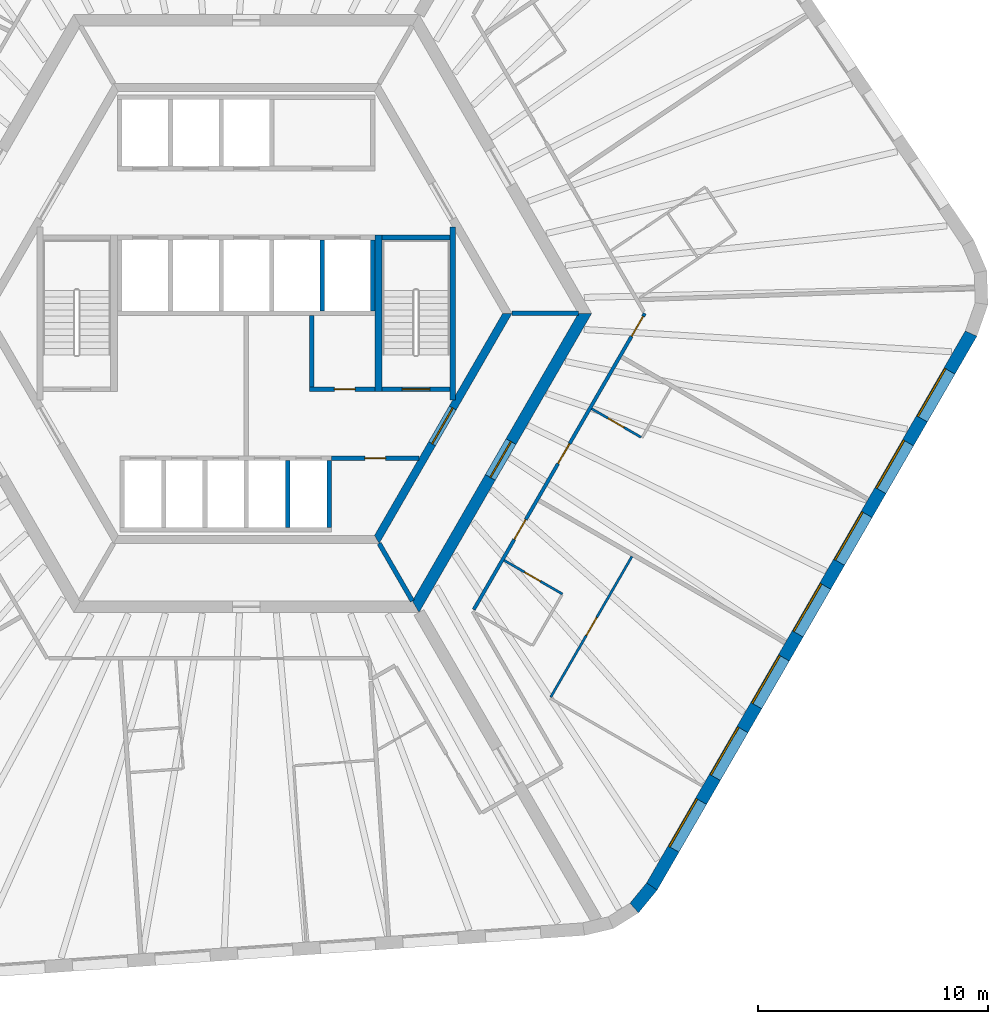
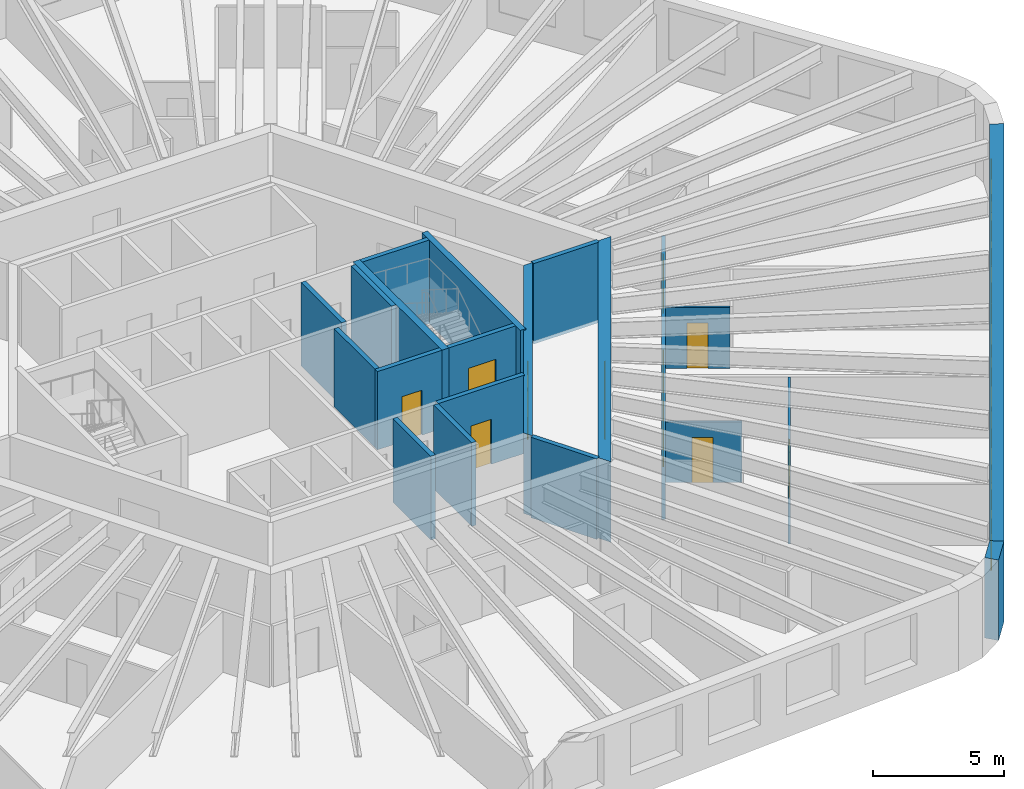
# One storey, part 5 of 10: 21 walls, 11 doors, 7 windows, 18 openings.
"""IFC4 building model written with IfcOpenShell, lengths in metres."""

from ifc_helpers import new_model, si_unit, direction, frame, frame_2d, origin, place, context, subcontext, project, spatial, polyline, rectangle, outline, extrude, material, layer, layer_set, type_object, element, fill, save


model = new_model("IFC4")

# Units and contexts
model_context = context("Model", 3, precision=1e-05, world=origin(), true_north=direction((0.0, 1.0)))
body_context = subcontext(model_context, "Body", "Model", "MODEL_VIEW")
ifc_project = project(units=[si_unit("LENGTHUNIT", "METRE"), si_unit("AREAUNIT", "SQUARE_METRE"), si_unit("VOLUMEUNIT", "CUBIC_METRE"), si_unit("PLANEANGLEUNIT", "RADIAN"), si_unit("MASSUNIT", "GRAM", prefix="KILO")], contexts=[model_context])

# Site, building, storey
site_placement = place(None, origin())
site = spatial("IfcSite", under=ifc_project, at=site_placement, CompositionType="ELEMENT")
building_placement = place(site_placement, origin())
building = spatial("IfcBuilding", under=site, at=building_placement, Name="Tarnside Tower", CompositionType="ELEMENT")
storey_placement = place(building_placement, frame((0.0, 0.0, 246.300048828125)))
storey = spatial("IfcBuildingStorey", under=building, at=storey_placement, Name="L59", CompositionType="ELEMENT", Elevation=246.300048828125)

# Wall, opening, door
ifc_material_1 = material(Name="Gypsum board partition on steel studs", Category="steel")
ifc_layer_1 = layer(ifc_material_1, 0.10009765625)
ifc_layer_set_1 = layer_set([ifc_layer_1], Name="Bathroom wall 100")
wall_type_1 = type_object("IfcWallType", Name="Bathroom wall 100", PredefinedType="PARTITIONING", material=ifc_layer_set_1)
wall_1_placement = place(storey_placement, frame((11.208740234375, -10.73583984375, 0.0), z_axis=(0.0, 0.0, 1.0), x_axis=(0.866046596414, -0.499963291492, 0.0)))
wall_1 = element("IfcWall", 1, at=wall_1_placement, inside=storey, type_object=wall_type_1, Name="Bathroom wall 19098", PredefinedType="PARTITIONING", context=body_context, shape_type="SweptSolid", body=[
    extrude(rectangle(XDim=2.925048828125, YDim=0.10009765625, at=frame_2d((1.46240234375, 0.0))), origin(), (0.0, 0.0, 1.0), 2.837646484375),
])
opening_1_placement = place(wall_1_placement, frame((1.02490234375, 0.0, 0.0)))
opening_1 = element("IfcOpeningElement", 2, at=opening_1_placement, cuts=wall_1, Name="Opening D-B1", PredefinedType="OPENING", context=body_context, shape_type="SweptSolid", body=[
    extrude(rectangle(XDim=0.800048828125, YDim=2.10009765625, at=frame_2d((0.39990234375, 1.050048828125))), frame((0.0, 0.06005859375, 0.0), z_axis=(0.0, -1.0, 0.0), x_axis=(1.0, 0.0, 0.0)), (0.0, 0.0, 1.0), 0.1201171875),
])
ifc_material_2 = material(Name="Timber door leaf", Category="wood")
door_type_1 = type_object("IfcDoorType", Name="Bathroom door 800", OperationType="NOTDEFINED", PredefinedType="DOOR", material=ifc_material_2)
door_1_placement = place(opening_1_placement, origin())
door_1 = element("IfcDoor", 3, at=door_1_placement, inside=storey, type_object=door_type_1, Name="Bathroom door 19027", OperationType="SINGLE_SWING_RIGHT", OverallHeight=2.10009765625, OverallWidth=0.800048828125, PredefinedType="DOOR", context=body_context, shape_type="SweptSolid", body=[
    extrude(rectangle(XDim=0.800048828125, YDim=2.10009765625, at=frame_2d((0.39990234375, 1.050048828125))), frame((0.0, 0.02490234375, 0.0), z_axis=(0.0, -1.0, 0.0), x_axis=(1.0, 0.0, 0.0)), (0.0, 0.0, 1.0), 0.050048828125),
])
fill(opening_1, door_1)

wall_2_placement = place(storey_placement, frame((17.15771484375, -5.382080078125, 0.0), z_axis=(0.0, 0.0, 1.0), x_axis=(-0.866031185235, 0.4999899861, 0.0)))
wall_2 = element("IfcWall", 4, at=wall_2_placement, inside=storey, type_object=wall_type_1, Name="Bathroom wall 19106", PredefinedType="PARTITIONING", context=body_context, shape_type="SweptSolid", body=[
    extrude(rectangle(XDim=2.47509765625, YDim=0.10009765625, at=frame_2d((1.237548828125, 0.0))), origin(), (0.0, 0.0, 1.0), 2.837646484375),
])
opening_2_placement = place(wall_2_placement, frame((0.85009765625, 0.0, 0.0)))
opening_2 = element("IfcOpeningElement", 5, at=opening_2_placement, cuts=wall_2, Name="Opening D-B1", PredefinedType="OPENING", context=body_context, shape_type="SweptSolid", body=[
    extrude(rectangle(XDim=0.800048828125, YDim=2.10009765625, at=frame_2d((0.39990234375, 1.050048828125))), frame((0.0, 0.06005859375, 0.0), z_axis=(0.0, -1.0, 0.0), x_axis=(1.0, 0.0, 0.0)), (0.0, 0.0, 1.0), 0.1201171875),
])
door_2_placement = place(opening_2_placement, origin())
door_2 = element("IfcDoor", 6, at=door_2_placement, inside=storey, type_object=door_type_1, Name="Bathroom door 19030", OperationType="SINGLE_SWING_LEFT", OverallHeight=2.10009765625, OverallWidth=0.800048828125, PredefinedType="DOOR", context=body_context, shape_type="SweptSolid", body=[
    extrude(rectangle(XDim=0.800048828125, YDim=2.10009765625, at=frame_2d((0.39990234375, 1.050048828125))), frame((0.0, 0.02490234375, 0.0), z_axis=(0.0, -1.0, 0.0), x_axis=(1.0, 0.0, 0.0)), (0.0, 0.0, 1.0), 0.050048828125),
])
fill(opening_2, door_2)

ifc_material_3 = material(Name="Concrete C50/60", Category="concrete")
ifc_layer_2 = layer(ifc_material_3, 0.35009765625)
ifc_layer_set_2 = layer_set([ifc_layer_2], Name="Core block wall 350 C50/60")
wall_type_2 = type_object("IfcWallType", Name="Core block wall 350 C50/60", PredefinedType="SHEAR", material=ifc_layer_set_2)
wall_3_placement = place(storey_placement, frame((5.672607421875, -9.824951171875, -0.150146484375), z_axis=(0.0, 0.0, 1.0), x_axis=(0.499995046907, 0.866028263435, 0.0)))
wall_3 = element("IfcWall", 7, at=wall_3_placement, inside=storey, type_object=wall_type_2, Name="L59 core block wall face 5", PredefinedType="SHEAR", context=body_context, shape_type="SweptSolid", body=[
    extrude(outline(polyline([(-0.10107421875, -0.175048828125), (11.44580078125, -0.175048828125), (11.24365234375, 0.175048828125), (0.10107421875, 0.175048828125), (-0.10107421875, -0.175048828125)])), origin(), (0.0, 0.0, 1.0), 3.75),
])
opening_3_placement = place(wall_3_placement, frame((4.80126953125, 0.0, 0.14990234375)))
opening_3 = element("IfcOpeningElement", 8, at=opening_3_placement, cuts=wall_3, Name="Opening CD-FFL", PredefinedType="OPENING", context=body_context, shape_type="SweptSolid", body=[
    extrude(rectangle(XDim=1.800048828125, YDim=2.39990234375, at=frame_2d((0.89990234375, 1.199951171875))), frame((0.0, 0.18505859375, 0.0), z_axis=(0.0, -1.0, 0.0), x_axis=(1.0, 0.0, 0.0)), (0.0, 0.0, 1.0), 0.3701171875),
])
ifc_material_4 = material(Name="Steel fire door", Category="steel")
door_type_2 = type_object("IfcDoorType", Name="Firefighting lobby double door FD60S 1800x2400", OperationType="NOTDEFINED", PredefinedType="DOOR", material=ifc_material_4)
door_3_placement = place(opening_3_placement, origin())
door_3 = element("IfcDoor", 9, at=door_3_placement, inside=storey, type_object=door_type_2, Name="L59 lobby block door P4", OperationType="DOUBLE_DOOR_SINGLE_SWING", OverallHeight=2.39990234375, OverallWidth=1.800048828125, PredefinedType="DOOR", context=body_context, shape_type="SweptSolid", body=[
    extrude(rectangle(XDim=1.800048828125, YDim=2.39990234375, at=frame_2d((0.89990234375, 1.199951171875))), frame((0.0, 0.02490234375, 0.0), z_axis=(0.0, -1.0, 0.0), x_axis=(1.0, 0.0, 0.0)), (0.0, 0.0, 1.0), 0.050048828125),
])
fill(opening_3, door_3)

ifc_material_5 = material(Name="Concrete C40/50", Category="concrete")
ifc_layer_3 = layer(ifc_material_5, 0.199951171875)
ifc_layer_set_3 = layer_set([ifc_layer_3], Name="Core room partition 200 C40/50")
wall_type_3 = type_object("IfcWallType", Name="Core room partition 200 C40/50", PredefinedType="PARTITIONING", material=ifc_layer_set_3)
wall_4_placement = place(storey_placement, frame((2.75, -3.300048828125, 0.0), z_axis=(0.0, 0.0, 1.0), x_axis=(1.0, 0.0, 0.0)))
wall_4 = element("IfcWall", 10, at=wall_4_placement, inside=storey, type_object=wall_type_3, Name="L59 core partition R3S1", PredefinedType="PARTITIONING", context=body_context, shape_type="SweptSolid", body=[
    extrude(rectangle(XDim=2.85009765625, YDim=0.199951171875, at=frame_2d((1.425048828125, 0.0))), origin(), (0.0, 0.0, 1.0), 3.64990234375),
])
opening_4_placement = place(wall_4_placement, frame((1.074951171875, 0.0, 0.0)))
opening_4 = element("IfcOpeningElement", 11, at=opening_4_placement, cuts=wall_4, Name="Opening CD-room", PredefinedType="OPENING", context=body_context, shape_type="SweptSolid", body=[
    extrude(rectangle(XDim=0.89990234375, YDim=2.10009765625, at=frame_2d((0.449951171875, 1.050048828125))), frame((0.0, 0.10986328125, 0.0), z_axis=(0.0, -1.0, 0.0), x_axis=(1.0, 0.0, 0.0)), (0.0, 0.0, 1.0), 0.219970703125),
])
door_type_3 = type_object("IfcDoorType", Name="Room door FD60 900x2100", OperationType="NOTDEFINED", PredefinedType="DOOR", material=ifc_material_4)
door_4_placement = place(opening_4_placement, origin())
door_4 = element("IfcDoor", 12, at=door_4_placement, inside=storey, type_object=door_type_3, Name="L59 core room door SR1", OperationType="SINGLE_SWING_LEFT", OverallHeight=2.10009765625, OverallWidth=0.89990234375, PredefinedType="DOOR", context=body_context, shape_type="SweptSolid", body=[
    extrude(rectangle(XDim=0.89990234375, YDim=2.10009765625, at=frame_2d((0.449951171875, 1.050048828125))), frame((0.0, 0.02490234375, 0.0), z_axis=(0.0, -1.0, 0.0), x_axis=(1.0, 0.0, 0.0)), (0.0, 0.0, 1.0), 0.050048828125),
])
fill(opening_4, door_4)

# Wall
wall_5_placement = place(storey_placement, frame((2.85009765625, -3.199951171875, 0.0), z_axis=(0.0, 0.0, 1.0), x_axis=(0.0, 1.0, 0.0)))
element("IfcWall", 13, at=wall_5_placement, inside=storey, type_object=wall_type_3, Name="L59 core partition R3P1a", PredefinedType="PARTITIONING", context=body_context, shape_type="SweptSolid", body=[
    extrude(rectangle(XDim=3.099853515625, YDim=0.199951171875, at=frame_2d((1.5498046875, 0.0))), origin(), (0.0, 0.0, 1.0), 3.64990234375),
])

# Wall, opening, door
wall_6_placement = place(storey_placement, frame((3.699951171875, -6.300048828125, 0.0), z_axis=(0.0, 0.0, 1.0), x_axis=(1.0, 0.0, 0.0)))
wall_6 = element("IfcWall", 14, at=wall_6_placement, inside=storey, type_object=wall_type_3, Name="L59 core partition R4X", PredefinedType="PARTITIONING", context=body_context, shape_type="SweptSolid", body=[
    extrude(rectangle(XDim=3.8056640625, YDim=0.199951171875, at=frame_2d((1.90283203125, 0.0))), origin(), (0.0, 0.0, 1.0), 3.64990234375),
])
opening_5_placement = place(wall_6_placement, frame((1.452880859375, 0.0, 0.0)))
opening_5 = element("IfcOpeningElement", 15, at=opening_5_placement, cuts=wall_6, Name="Opening CD-room", PredefinedType="OPENING", context=body_context, shape_type="SweptSolid", body=[
    extrude(rectangle(XDim=0.89990234375, YDim=2.10009765625, at=frame_2d((0.449951171875, 1.050048828125))), frame((0.0, 0.10986328125, 0.0), z_axis=(0.0, -1.0, 0.0), x_axis=(1.0, 0.0, 0.0)), (0.0, 0.0, 1.0), 0.219970703125),
])
door_5_placement = place(opening_5_placement, origin())
door_5 = element("IfcDoor", 16, at=door_5_placement, inside=storey, type_object=door_type_3, Name="L59 core room door RX", OperationType="SINGLE_SWING_LEFT", OverallHeight=2.10009765625, OverallWidth=0.89990234375, PredefinedType="DOOR", context=body_context, shape_type="SweptSolid", body=[
    extrude(rectangle(XDim=0.89990234375, YDim=2.10009765625, at=frame_2d((0.449951171875, 1.050048828125))), frame((0.0, 0.02490234375, 0.0), z_axis=(0.0, -1.0, 0.0), x_axis=(1.0, 0.0, 0.0)), (0.0, 0.0, 1.0), 0.050048828125),
])
fill(opening_5, door_5)

ifc_material_6 = material(Name="Concrete C70/85", Category="concrete")
ifc_layer_4 = layer(ifc_material_6, 0.5)
ifc_layer_set_4 = layer_set([ifc_layer_4], Name="Core wall Z2 500 C70/85")
wall_type_4 = type_object("IfcWallType", Name="Core wall Z2 500 C70/85", PredefinedType="SHEAR", material=ifc_layer_set_4)
wall_7_placement = place(storey_placement, frame((7.361083984375, -12.75, -0.150146484375), z_axis=(0.0, 0.0, 1.0), x_axis=(0.50000571537, 0.866022103989, 0.0)))
wall_7 = element("IfcWall", 17, at=wall_7_placement, inside=storey, type_object=wall_type_4, Name="L59 core wall face 5", PredefinedType="SHEAR", context=body_context, shape_type="SweptSolid", body=[
    extrude(outline(polyline([(-0.144287109375, -0.25), (14.86669921875, -0.25), (14.578125, 0.25), (0.144287109375, 0.25), (-0.144287109375, -0.25)])), origin(), (0.0, 0.0, 1.0), 3.75),
])
opening_6_placement = place(wall_7_placement, frame((6.489990234375, 0.0, 0.14990234375)))
opening_6 = element("IfcOpeningElement", 18, at=opening_6_placement, cuts=wall_7, Name="Opening CD-FFL", PredefinedType="OPENING", context=body_context, shape_type="SweptSolid", body=[
    extrude(rectangle(XDim=1.800048828125, YDim=2.39990234375, at=frame_2d((0.89990234375, 1.199951171875))), frame((0.0, 0.260009765625, 0.0), z_axis=(0.0, -1.0, 0.0), x_axis=(1.0, 0.0, 0.0)), (0.0, 0.0, 1.0), 0.52001953125),
])
door_6_placement = place(opening_6_placement, origin())
door_6 = element("IfcDoor", 19, at=door_6_placement, inside=storey, type_object=door_type_2, Name="L59 core door P4", OperationType="DOUBLE_DOOR_SINGLE_SWING", OverallHeight=2.39990234375, OverallWidth=1.800048828125, PredefinedType="DOOR", context=body_context, shape_type="SweptSolid", body=[
    extrude(rectangle(XDim=1.800048828125, YDim=2.39990234375, at=frame_2d((0.89990234375, 1.199951171875))), frame((0.0, 0.02490234375, 0.0), z_axis=(0.0, -1.0, 0.0), x_axis=(1.0, 0.0, 0.0)), (0.0, 0.0, 1.0), 0.050048828125),
])
fill(opening_6, door_6)

# Wall, openings, doors
ifc_layer_5 = layer(ifc_material_1, 0.14990234375)
ifc_layer_set_5 = layer_set([ifc_layer_5], Name="Corridor wall 150 EI 60")
wall_type_5 = type_object("IfcWallType", Name="Corridor wall 150 EI 60", PredefinedType="PARTITIONING", material=ifc_layer_set_5)
wall_8_placement = place(storey_placement, frame((9.88720703125, -12.875, 0.0), z_axis=(0.0, 0.0, 1.0), x_axis=(0.499998228944, 0.866026426302, 0.0)))
wall_8 = element("IfcWall", 20, at=wall_8_placement, inside=storey, type_object=wall_type_5, Name="Corridor wall 19036", PredefinedType="PARTITIONING", context=body_context, shape_type="SweptSolid", body=[
    extrude(rectangle(XDim=14.86669921875, YDim=0.14990234375, at=frame_2d((7.433349609375, 0.0))), origin(), (0.0, 0.0, 1.0), 2.837646484375),
])
opening_7_placement = place(wall_8_placement, frame((3.518798828125, 0.0, 0.0)))
opening_7 = element("IfcOpeningElement", 21, at=opening_7_placement, cuts=wall_8, Name="Opening D-E1", PredefinedType="OPENING", context=body_context, shape_type="SweptSolid", body=[
    extrude(rectangle(XDim=1.0, YDim=2.10009765625, at=frame_2d((0.5, 1.050048828125))), frame((0.0, 0.0849609375, 0.0), z_axis=(0.0, -1.0, 0.0), x_axis=(1.0, 0.0, 0.0)), (0.0, 0.0, 1.0), 0.169921875),
])
opening_8_placement = place(wall_8_placement, frame((7.324462890625, 0.0, 0.0)))
opening_8 = element("IfcOpeningElement", 22, at=opening_8_placement, cuts=wall_8, Name="Opening D-E1", PredefinedType="OPENING", context=body_context, shape_type="SweptSolid", body=[
    extrude(rectangle(XDim=1.0, YDim=2.10009765625, at=frame_2d((0.5, 1.050048828125))), frame((0.0, 0.0849609375, 0.0), z_axis=(0.0, -1.0, 0.0), x_axis=(1.0, 0.0, 0.0)), (0.0, 0.0, 1.0), 0.169921875),
])
opening_9_placement = place(wall_8_placement, frame((13.716796875, 0.0, 0.0)))
opening_9 = element("IfcOpeningElement", 23, at=opening_9_placement, cuts=wall_8, Name="Opening D-E1", PredefinedType="OPENING", context=body_context, shape_type="SweptSolid", body=[
    extrude(rectangle(XDim=1.0, YDim=2.10009765625, at=frame_2d((0.5, 1.050048828125))), frame((0.0, 0.0849609375, 0.0), z_axis=(0.0, -1.0, 0.0), x_axis=(1.0, 0.0, 0.0)), (0.0, 0.0, 1.0), 0.169921875),
])
door_type_4 = type_object("IfcDoorType", Name="Unit entrance door 1000 FD30S", OperationType="NOTDEFINED", PredefinedType="DOOR", material=ifc_material_2)
door_7_placement = place(opening_7_placement, origin())
door_7 = element("IfcDoor", 24, at=door_7_placement, inside=storey, type_object=door_type_4, Name="Unit door 19026", OperationType="SINGLE_SWING_RIGHT", OverallHeight=2.10009765625, OverallWidth=1.0, PredefinedType="DOOR", context=body_context, shape_type="SweptSolid", body=[
    extrude(rectangle(XDim=1.0, YDim=2.10009765625, at=frame_2d((0.5, 1.050048828125))), frame((0.0, 0.02490234375, 0.0), z_axis=(0.0, -1.0, 0.0), x_axis=(1.0, 0.0, 0.0)), (0.0, 0.0, 1.0), 0.050048828125),
])
fill(opening_7, door_7)
door_8_placement = place(opening_8_placement, origin())
door_8 = element("IfcDoor", 25, at=door_8_placement, inside=storey, type_object=door_type_4, Name="Unit door 19029", OperationType="SINGLE_SWING_LEFT", OverallHeight=2.10009765625, OverallWidth=1.0, PredefinedType="DOOR", context=body_context, shape_type="SweptSolid", body=[
    extrude(rectangle(XDim=1.0, YDim=2.10009765625, at=frame_2d((0.5, 1.050048828125))), frame((0.0, 0.02490234375, 0.0), z_axis=(0.0, -1.0, 0.0), x_axis=(1.0, 0.0, 0.0)), (0.0, 0.0, 1.0), 0.050048828125),
])
fill(opening_8, door_8)
door_9_placement = place(opening_9_placement, origin())
door_9 = element("IfcDoor", 26, at=door_9_placement, inside=storey, type_object=door_type_4, Name="Unit door 19031", OperationType="SINGLE_SWING_LEFT", OverallHeight=2.10009765625, OverallWidth=1.0, PredefinedType="DOOR", context=body_context, shape_type="SweptSolid", body=[
    extrude(rectangle(XDim=1.0, YDim=2.10009765625, at=frame_2d((0.5, 1.050048828125))), frame((0.0, 0.02490234375, 0.0), z_axis=(0.0, -1.0, 0.0), x_axis=(1.0, 0.0, 0.0)), (0.0, 0.0, 1.0), 0.050048828125),
])
fill(opening_9, door_9)

# Walls
ifc_layer_6 = layer(ifc_material_5, 0.199951171875)
ifc_layer_set_6 = layer_set([ifc_layer_6], Name="Lift shaft wall 200 C40/50")
wall_type_6 = type_object("IfcWallType", Name="Lift shaft wall 200 C40/50", PredefinedType="SHEAR", material=ifc_layer_set_6)
for number, where, z_axis, x_axis, name in (
    (27, (3.300048828125, 0.10009765625, -0.25), (0.0, 0.0, 1.0), (0.0, 1.0, 0.0), "L59 lift shaft partition R25"),
    (28, (5.5, 0.10009765625, -0.25), (0.0, 0.0, 1.0), (0.0, 1.0, 0.0), "L59 lift shaft partition R26"),
):
    element("IfcWall", number, at=place(storey_placement, frame(where, z_axis=z_axis, x_axis=x_axis)), inside=storey, type_object=wall_type_6, Name=name, PredefinedType="SHEAR", context=body_context, shape_type="SweptSolid", body=[
        extrude(rectangle(XDim=3.099853515625, YDim=0.199951171875, at=frame_2d((1.5498046875, 0.0))), origin(), (0.0, 0.0, 1.0), 3.89990234375),
    ])
for number, where, z_axis, x_axis, name in (
    (29, (1.800048828125, -9.300048828125, -0.25), (0.0, 0.0, 1.0), (0.0, 1.0, 0.0), "L59 lift shaft partition R45"),
    (30, (3.60009765625, -9.300048828125, -0.25), (0.0, 0.0, 1.0), (0.0, 1.0, 0.0), "L59 lift shaft partition R46"),
):
    element("IfcWall", number, at=place(storey_placement, frame(where, z_axis=z_axis, x_axis=x_axis)), inside=storey, type_object=wall_type_6, Name=name, PredefinedType="SHEAR", context=body_context, shape_type="SweptSolid", body=[
        extrude(rectangle(XDim=2.900146484375, YDim=0.199951171875, at=frame_2d((1.4501953125, 0.0))), origin(), (0.0, 0.0, 1.0), 3.89990234375),
    ])
for number, where, z_axis, x_axis, name in (
    (31, (11.547119140625, 0.0, -0.150146484375), (0.0, 0.0, 1.0), (1.0, 0.0, 0.0), "L59 core partition AR0"),
    (32, (5.7734375, -10.0, -0.150146484375), (0.0, 0.0, 1.0), (0.499995765644, -0.866027848477, 0.0), "L59 core partition AR300"),
):
    element("IfcWall", number, at=place(storey_placement, frame(where, z_axis=z_axis, x_axis=x_axis)), inside=storey, type_object=wall_type_6, Name=name, PredefinedType="SHEAR", context=body_context, shape_type="SweptSolid", body=[
        extrude(rectangle(XDim=2.88671875, YDim=0.199951171875, at=frame_2d((1.443359375, 0.0))), origin(), (0.0, 0.0, 1.0), 3.75),
    ])
wall_9_placement = place(storey_placement, frame((5.89990234375, 3.300048828125, -0.25), z_axis=(0.0, 0.0, 1.0), x_axis=(1.0, 0.0, 0.0)))
element("IfcWall", 33, at=wall_9_placement, inside=storey, type_object=wall_type_6, Name="L59 stair 1 enclosure cap wall n", PredefinedType="SHEAR", context=body_context, shape_type="SweptSolid", body=[
    extrude(rectangle(XDim=2.9501953125, YDim=0.199951171875, at=frame_2d((1.47509765625, 0.0))), origin(), (0.0, 0.0, 1.0), 3.89990234375),
])

# Wall, opening, door
wall_10_placement = place(storey_placement, frame((5.89990234375, -3.300048828125, -0.25), z_axis=(0.0, 0.0, 1.0), x_axis=(1.0, 0.0, 0.0)))
wall_10 = element("IfcWall", 34, at=wall_10_placement, inside=storey, type_object=wall_type_6, Name="L59 stair 1 enclosure cap wall s", PredefinedType="SHEAR", context=body_context, shape_type="SweptSolid", body=[
    extrude(rectangle(XDim=2.9501953125, YDim=0.199951171875, at=frame_2d((1.47509765625, 0.0))), origin(), (0.0, 0.0, 1.0), 3.89990234375),
])
opening_10_placement = place(wall_10_placement, frame((0.875, 0.0, 0.25)))
opening_10 = element("IfcOpeningElement", 35, at=opening_10_placement, cuts=wall_10, Name="Opening CD-STR", PredefinedType="OPENING", context=body_context, shape_type="SweptSolid", body=[
    extrude(rectangle(XDim=1.199951171875, YDim=2.39990234375, at=frame_2d((0.60009765625, 1.199951171875))), frame((0.0, 0.10986328125, 0.0), z_axis=(0.0, -1.0, 0.0), x_axis=(1.0, 0.0, 0.0)), (0.0, 0.0, 1.0), 0.219970703125),
])
door_type_5 = type_object("IfcDoorType", Name="Stair door FD60S 1200x2400", OperationType="NOTDEFINED", PredefinedType="DOOR", material=ifc_material_4)
door_10_placement = place(opening_10_placement, origin())
door_10 = element("IfcDoor", 36, at=door_10_placement, inside=storey, type_object=door_type_5, Name="L59 stair 1 door", OperationType="SINGLE_SWING_LEFT", OverallHeight=2.39990234375, OverallWidth=1.199951171875, PredefinedType="DOOR", context=body_context, shape_type="SweptSolid", body=[
    extrude(rectangle(XDim=1.199951171875, YDim=2.39990234375, at=frame_2d((0.60009765625, 1.199951171875))), frame((0.0, 0.02490234375, 0.0), z_axis=(0.0, -1.0, 0.0), x_axis=(1.0, 0.0, 0.0)), (0.0, 0.0, 1.0), 0.050048828125),
])
fill(opening_10, door_10)

ifc_layer_7 = layer(ifc_material_1, 0.10009765625)
ifc_layer_set_7 = layer_set([ifc_layer_7], Name="Partition 100")
wall_type_7 = type_object("IfcWallType", Name="Partition 100", PredefinedType="PARTITIONING", material=ifc_layer_set_7)
wall_11_placement = place(storey_placement, frame((13.231201171875, -16.682861328125, 0.0), z_axis=(0.0, 0.0, 1.0), x_axis=(0.499995846692, 0.866027801685, 0.0)))
wall_11 = element("IfcWall", 37, at=wall_11_placement, inside=storey, type_object=wall_type_7, Name="Partition wall 19102", PredefinedType="PARTITIONING", context=body_context, shape_type="SweptSolid", body=[
    extrude(rectangle(XDim=7.06005859375, YDim=0.10009765625, at=frame_2d((3.530029296875, 0.0))), origin(), (0.0, 0.0, 1.0), 2.837646484375),
])
opening_11_placement = place(wall_11_placement, frame((3.10009765625, 0.0, 0.0)))
opening_11 = element("IfcOpeningElement", 38, at=opening_11_placement, cuts=wall_11, Name="Opening D-I1", PredefinedType="OPENING", context=body_context, shape_type="SweptSolid", body=[
    extrude(rectangle(XDim=0.89990234375, YDim=2.10009765625, at=frame_2d((0.449951171875, 1.050048828125))), frame((0.0, 0.06005859375, 0.0), z_axis=(0.0, -1.0, 0.0), x_axis=(1.0, 0.0, 0.0)), (0.0, 0.0, 1.0), 0.1201171875),
])
door_type_6 = type_object("IfcDoorType", Name="Internal door 900", OperationType="NOTDEFINED", PredefinedType="DOOR", material=ifc_material_2)
door_11_placement = place(opening_11_placement, origin())
door_11 = element("IfcDoor", 39, at=door_11_placement, inside=storey, type_object=door_type_6, Name="Internal door 19028", OperationType="SINGLE_SWING_LEFT", OverallHeight=2.10009765625, OverallWidth=0.89990234375, PredefinedType="DOOR", context=body_context, shape_type="SweptSolid", body=[
    extrude(rectangle(XDim=0.89990234375, YDim=2.10009765625, at=frame_2d((0.449951171875, 1.050048828125))), frame((0.0, 0.02490234375, 0.0), z_axis=(0.0, -1.0, 0.0), x_axis=(1.0, 0.0, 0.0)), (0.0, 0.0, 1.0), 0.050048828125),
])
fill(opening_11, door_11)

# Walls
ifc_layer_8 = layer(ifc_material_5, 0.25)
ifc_layer_set_8 = layer_set([ifc_layer_8], Name="Stair enclosure wall 250 C40/50")
wall_type_8 = type_object("IfcWallType", Name="Stair enclosure wall 250 C40/50", PredefinedType="SHEAR", material=ifc_layer_set_8)
wall_12_placement = place(storey_placement, frame((8.97509765625, -3.7548828125, -0.25), z_axis=(0.0, 0.0, 1.0), x_axis=(0.0, 1.0, 0.0)))
element("IfcWall", 40, at=wall_12_placement, inside=storey, type_object=wall_type_8, Name="L59 stair 1 enclosure wall outer", PredefinedType="SHEAR", context=body_context, shape_type="SweptSolid", body=[
    extrude(rectangle(XDim=7.509765625, YDim=0.25, at=frame_2d((3.7548828125, 0.0))), origin(), (0.0, 0.0, 1.0), 3.89990234375),
])
ifc_layer_9 = layer(ifc_material_5, 0.300048828125)
ifc_layer_set_9 = layer_set([ifc_layer_9], Name="Stair enclosure wall 300 C40/50")
wall_type_9 = type_object("IfcWallType", Name="Stair enclosure wall 300 C40/50", PredefinedType="SHEAR", material=ifc_layer_set_9)
wall_13_placement = place(storey_placement, frame((5.75, -3.39990234375, -0.25), z_axis=(0.0, 0.0, 1.0), x_axis=(0.0, 1.0, 0.0)))
element("IfcWall", 41, at=wall_13_placement, inside=storey, type_object=wall_type_9, Name="L59 stair 1 enclosure wall inner", PredefinedType="SHEAR", context=body_context, shape_type="SweptSolid", body=[
    extrude(rectangle(XDim=6.7998046875, YDim=0.300048828125, at=frame_2d((3.39990234375, 0.0))), origin(), (0.0, 0.0, 1.0), 3.89990234375),
])
ifc_material_7 = material(Name="Facing brick", Category="masonry")
ifc_layer_10 = layer(ifc_material_7, 0.10205078125)
ifc_material_8 = material(Name="Concrete C60/75 precast", Category="concrete")
ifc_layer_11 = layer(ifc_material_8, 0.347900390625)
ifc_material_9 = material(Name="Mineral wool insulation")
ifc_layer_12 = layer(ifc_material_9, 0.10009765625)
ifc_layer_set_10 = layer_set([ifc_layer_10, ifc_layer_11, ifc_layer_12], Name="Tube wall 550 brick faced")
wall_type_10 = type_object("IfcWallType", Name="Tube wall 550 brick faced", PredefinedType="SOLIDWALL", material=ifc_layer_set_10)
wall_14_placement = place(storey_placement, frame((16.8642578125, -25.848388671875, -0.150146484375), z_axis=(0.0, 0.0, 1.0), x_axis=(0.633842757806, 0.773461930787, 0.0)))
element("IfcWall", 42, at=wall_14_placement, inside=storey, type_object=wall_type_10, Name="Tube wall L59 F4 chord 15", PredefinedType="SOLIDWALL", context=body_context, shape_type="SweptSolid", body=[
    extrude(outline(polyline([(-0.045166015625, -0.27490234375), (1.230712890625, -0.27490234375), (1.185791015625, 0.27490234375), (0.045166015625, 0.27490234375), (-0.045166015625, -0.27490234375)])), origin(), (0.0, 0.0, 1.0), 3.75),
])

# Wall, openings, windows
wall_15_placement = place(storey_placement, frame((17.630126953125, -24.913818359375, -0.150146484375), z_axis=(0.0, 0.0, 1.0), x_axis=(0.499998569178, 0.866026229868, 0.0)))
wall_15 = element("IfcWall", 43, at=wall_15_placement, inside=storey, type_object=wall_type_10, Name="Tube wall L59 F5 flush 16", PredefinedType="SOLIDWALL", context=body_context, shape_type="SweptSolid", body=[
    extrude(outline(polyline([(-0.0224609375, -0.27490234375), (27.783447265625, -0.27490234375), (27.732177734375, 0.27490234375), (0.0224609375, 0.27490234375), (-0.0224609375, -0.27490234375)])), origin(), (0.0, 0.0, 1.0), 3.75),
])
opening_12_placement = place(wall_15_placement, frame((1.87890625, 0.0, 1.050048828125)))
opening_12 = element("IfcOpeningElement", 44, at=opening_12_placement, cuts=wall_15, Name="Opening WH", PredefinedType="OPENING", context=body_context, shape_type="SweptSolid", body=[
    extrude(rectangle(XDim=2.39990234375, YDim=2.39990234375, at=frame_2d((1.199951171875, 1.199951171875))), frame((0.0, 0.28515625, 0.0), z_axis=(0.0, -1.0, 0.0), x_axis=(1.0, 0.0, 0.0)), (0.0, 0.0, 1.0), 0.570068359375),
])
opening_13_placement = place(wall_15_placement, frame((5.47900390625, 0.0, 1.050048828125)))
opening_13 = element("IfcOpeningElement", 45, at=opening_13_placement, cuts=wall_15, Name="Opening WH", PredefinedType="OPENING", context=body_context, shape_type="SweptSolid", body=[
    extrude(rectangle(XDim=2.39990234375, YDim=2.39990234375, at=frame_2d((1.199951171875, 1.199951171875))), frame((0.0, 0.28515625, 0.0), z_axis=(0.0, -1.0, 0.0), x_axis=(1.0, 0.0, 0.0)), (0.0, 0.0, 1.0), 0.570068359375),
])
opening_14_placement = place(wall_15_placement, frame((9.078857421875, 0.0, 1.050048828125)))
opening_14 = element("IfcOpeningElement", 46, at=opening_14_placement, cuts=wall_15, Name="Opening WH", PredefinedType="OPENING", context=body_context, shape_type="SweptSolid", body=[
    extrude(rectangle(XDim=2.39990234375, YDim=2.39990234375, at=frame_2d((1.199951171875, 1.199951171875))), frame((0.0, 0.28515625, 0.0), z_axis=(0.0, -1.0, 0.0), x_axis=(1.0, 0.0, 0.0)), (0.0, 0.0, 1.0), 0.570068359375),
])
opening_15_placement = place(wall_15_placement, frame((12.678955078125, 0.0, 1.050048828125)))
opening_15 = element("IfcOpeningElement", 47, at=opening_15_placement, cuts=wall_15, Name="Opening WH", PredefinedType="OPENING", context=body_context, shape_type="SweptSolid", body=[
    extrude(rectangle(XDim=2.39990234375, YDim=2.39990234375, at=frame_2d((1.199951171875, 1.199951171875))), frame((0.0, 0.28515625, 0.0), z_axis=(0.0, -1.0, 0.0), x_axis=(1.0, 0.0, 0.0)), (0.0, 0.0, 1.0), 0.570068359375),
])
opening_16_placement = place(wall_15_placement, frame((16.27880859375, 0.0, 1.050048828125)))
opening_16 = element("IfcOpeningElement", 48, at=opening_16_placement, cuts=wall_15, Name="Opening WH", PredefinedType="OPENING", context=body_context, shape_type="SweptSolid", body=[
    extrude(rectangle(XDim=2.39990234375, YDim=2.39990234375, at=frame_2d((1.199951171875, 1.199951171875))), frame((0.0, 0.28515625, 0.0), z_axis=(0.0, -1.0, 0.0), x_axis=(1.0, 0.0, 0.0)), (0.0, 0.0, 1.0), 0.570068359375),
])
opening_17_placement = place(wall_15_placement, frame((19.87890625, 0.0, 1.050048828125)))
opening_17 = element("IfcOpeningElement", 49, at=opening_17_placement, cuts=wall_15, Name="Opening WH", PredefinedType="OPENING", context=body_context, shape_type="SweptSolid", body=[
    extrude(rectangle(XDim=2.39990234375, YDim=2.39990234375, at=frame_2d((1.199951171875, 1.199951171875))), frame((0.0, 0.28515625, 0.0), z_axis=(0.0, -1.0, 0.0), x_axis=(1.0, 0.0, 0.0)), (0.0, 0.0, 1.0), 0.570068359375),
])
opening_18_placement = place(wall_15_placement, frame((23.47900390625, 0.0, 1.050048828125)))
opening_18 = element("IfcOpeningElement", 50, at=opening_18_placement, cuts=wall_15, Name="Opening WH", PredefinedType="OPENING", context=body_context, shape_type="SweptSolid", body=[
    extrude(rectangle(XDim=2.39990234375, YDim=2.39990234375, at=frame_2d((1.199951171875, 1.199951171875))), frame((0.0, 0.28515625, 0.0), z_axis=(0.0, -1.0, 0.0), x_axis=(1.0, 0.0, 0.0)), (0.0, 0.0, 1.0), 0.570068359375),
])
ifc_material_10 = material(Name="Aluminium-framed double glazing", Category="aluminium")
window_type = type_object("IfcWindowType", Name="Hotel window 2400 x 2400", PartitioningType="DOUBLE_PANEL_VERTICAL", PredefinedType="WINDOW", material=ifc_material_10)
window_1_placement = place(opening_12_placement, frame((0.0, 0.205078125, 0.0)))
window_1 = element("IfcWindow", 51, at=window_1_placement, inside=storey, type_object=window_type, Name="E.WN.L59.F5.00", OverallHeight=2.39990234375, OverallWidth=2.39990234375, PartitioningType="DOUBLE_PANEL_VERTICAL", PredefinedType="WINDOW", context=body_context, shape_type="SweptSolid", body=[
    extrude(rectangle(XDim=2.39990234375, YDim=2.39990234375, at=frame_2d((1.199951171875, 1.199951171875))), frame((0.0, 0.030029296875, 0.0), z_axis=(0.0, -1.0, 0.0), x_axis=(1.0, 0.0, 0.0)), (0.0, 0.0, 1.0), 0.06005859375),
])
fill(opening_12, window_1)
window_2_placement = place(opening_13_placement, frame((0.0, 0.205078125, 0.0)))
window_2 = element("IfcWindow", 52, at=window_2_placement, inside=storey, type_object=window_type, Name="E.WN.L59.F5.01", OverallHeight=2.39990234375, OverallWidth=2.39990234375, PartitioningType="DOUBLE_PANEL_VERTICAL", PredefinedType="WINDOW", context=body_context, shape_type="SweptSolid", body=[
    extrude(rectangle(XDim=2.39990234375, YDim=2.39990234375, at=frame_2d((1.199951171875, 1.199951171875))), frame((0.0, 0.030029296875, 0.0), z_axis=(0.0, -1.0, 0.0), x_axis=(1.0, 0.0, 0.0)), (0.0, 0.0, 1.0), 0.06005859375),
])
fill(opening_13, window_2)
window_3_placement = place(opening_14_placement, frame((0.0, 0.205078125, 0.0)))
window_3 = element("IfcWindow", 53, at=window_3_placement, inside=storey, type_object=window_type, Name="E.WN.L59.F5.02", OverallHeight=2.39990234375, OverallWidth=2.39990234375, PartitioningType="DOUBLE_PANEL_VERTICAL", PredefinedType="WINDOW", context=body_context, shape_type="SweptSolid", body=[
    extrude(rectangle(XDim=2.39990234375, YDim=2.39990234375, at=frame_2d((1.199951171875, 1.199951171875))), frame((0.0, 0.030029296875, 0.0), z_axis=(0.0, -1.0, 0.0), x_axis=(1.0, 0.0, 0.0)), (0.0, 0.0, 1.0), 0.06005859375),
])
fill(opening_14, window_3)
window_4_placement = place(opening_15_placement, frame((0.0, 0.205078125, 0.0)))
window_4 = element("IfcWindow", 54, at=window_4_placement, inside=storey, type_object=window_type, Name="E.WN.L59.F5.03", OverallHeight=2.39990234375, OverallWidth=2.39990234375, PartitioningType="DOUBLE_PANEL_VERTICAL", PredefinedType="WINDOW", context=body_context, shape_type="SweptSolid", body=[
    extrude(rectangle(XDim=2.39990234375, YDim=2.39990234375, at=frame_2d((1.199951171875, 1.199951171875))), frame((0.0, 0.030029296875, 0.0), z_axis=(0.0, -1.0, 0.0), x_axis=(1.0, 0.0, 0.0)), (0.0, 0.0, 1.0), 0.06005859375),
])
fill(opening_15, window_4)
window_5_placement = place(opening_16_placement, frame((0.0, 0.205078125, 0.0)))
window_5 = element("IfcWindow", 55, at=window_5_placement, inside=storey, type_object=window_type, Name="E.WN.L59.F5.04", OverallHeight=2.39990234375, OverallWidth=2.39990234375, PartitioningType="DOUBLE_PANEL_VERTICAL", PredefinedType="WINDOW", context=body_context, shape_type="SweptSolid", body=[
    extrude(rectangle(XDim=2.39990234375, YDim=2.39990234375, at=frame_2d((1.199951171875, 1.199951171875))), frame((0.0, 0.030029296875, 0.0), z_axis=(0.0, -1.0, 0.0), x_axis=(1.0, 0.0, 0.0)), (0.0, 0.0, 1.0), 0.06005859375),
])
fill(opening_16, window_5)
window_6_placement = place(opening_17_placement, frame((0.0, 0.205078125, 0.0)))
window_6 = element("IfcWindow", 56, at=window_6_placement, inside=storey, type_object=window_type, Name="E.WN.L59.F5.05", OverallHeight=2.39990234375, OverallWidth=2.39990234375, PartitioningType="DOUBLE_PANEL_VERTICAL", PredefinedType="WINDOW", context=body_context, shape_type="SweptSolid", body=[
    extrude(rectangle(XDim=2.39990234375, YDim=2.39990234375, at=frame_2d((1.199951171875, 1.199951171875))), frame((0.0, 0.030029296875, 0.0), z_axis=(0.0, -1.0, 0.0), x_axis=(1.0, 0.0, 0.0)), (0.0, 0.0, 1.0), 0.06005859375),
])
fill(opening_17, window_6)
window_7_placement = place(opening_18_placement, frame((0.0, 0.205078125, 0.0)))
window_7 = element("IfcWindow", 57, at=window_7_placement, inside=storey, type_object=window_type, Name="E.WN.L59.F5.06", OverallHeight=2.39990234375, OverallWidth=2.39990234375, PartitioningType="DOUBLE_PANEL_VERTICAL", PredefinedType="WINDOW", context=body_context, shape_type="SweptSolid", body=[
    extrude(rectangle(XDim=2.39990234375, YDim=2.39990234375, at=frame_2d((1.199951171875, 1.199951171875))), frame((0.0, 0.030029296875, 0.0), z_axis=(0.0, -1.0, 0.0), x_axis=(1.0, 0.0, 0.0)), (0.0, 0.0, 1.0), 0.06005859375),
])
fill(opening_18, window_7)

save(model, "model.ifc")
